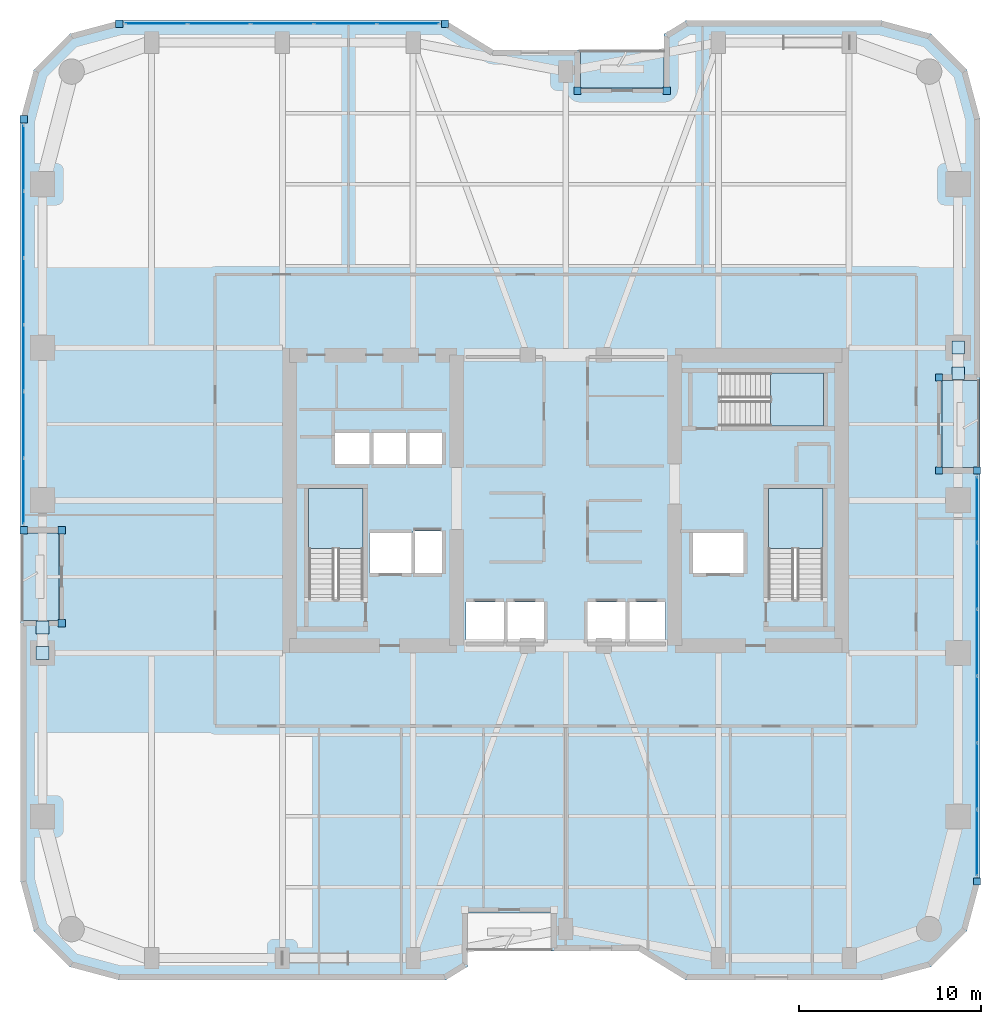
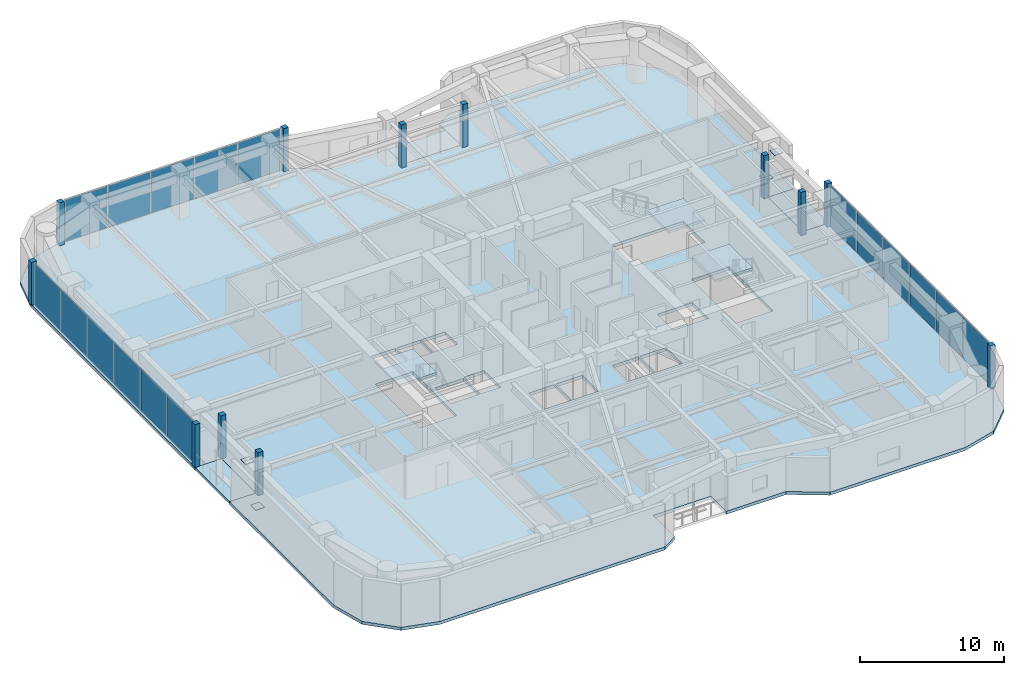
# One storey, part 16 of 24: 33 plates, 7 slabs, 6 elements without a shape of their own.
"""IFC4 building model written with IfcOpenShell, lengths in metres."""

from ifc_helpers import new_model, si_unit, direction, frame, origin, origin_2d, place, context, subcontext, project, spatial, polyline, rectangle, outline, extrude, material, layer, layer_set, type_object, element, aggregate, save


model = new_model("IFC4")

# Units and contexts
model_context = context("Model", 3, precision=1e-05, world=origin(), true_north=direction((0.0, 1.0)))
body_context = subcontext(model_context, "Body", "Model", "MODEL_VIEW")
ifc_project = project(units=[si_unit("LENGTHUNIT", "METRE"), si_unit("AREAUNIT", "SQUARE_METRE"), si_unit("VOLUMEUNIT", "CUBIC_METRE"), si_unit("PLANEANGLEUNIT", "RADIAN"), si_unit("MASSUNIT", "GRAM", prefix="KILO")], contexts=[model_context])

# Site, building, storey
site_placement = place(None, origin())
site = spatial("IfcSite", under=ifc_project, at=site_placement, CompositionType="ELEMENT")
building_placement = place(site_placement, origin())
building = spatial("IfcBuilding", under=site, at=building_placement, Name="Kiyonajd Concourse Tower", CompositionType="ELEMENT")
storey_placement = place(building_placement, frame((0.0, 0.0, 113.10009765625)))
storey = spatial("IfcBuildingStorey", under=building, at=storey_placement, Name="L29", CompositionType="ELEMENT", Elevation=113.10009765625)

# Plates
ifc_material_1 = material(Name="Steel ASTM A572 Grade 50", Category="steel")
ifc_layer_1 = layer(ifc_material_1, 0.028076171875)
ifc_layer_set_1 = layer_set([ifc_layer_1], Name="Steel ASTM A572 Grade 50")
plate_type_1 = type_object("IfcPlateType", Name="PL-CAP-450", PredefinedType="USERDEFINED", material=ifc_layer_set_1)
for number, where, z_axis, x_axis, name in (
    (1, (19.199951171875, 27.59521484375, 0.27587890625), (0.0, 0.0, 1.0), (1.0, 0.0, 0.0), "L29 Hollow Brace End Cap Plate PBW"),
    (2, (19.199951171875, 29.004638671875, 3.28564453125), (0.0, 0.0, 1.0), (1.0, 0.0, 0.0), "L29 Hollow Brace Top Cap Plate PBW"),
    (3, (69.60009765625, 44.40478515625, 0.27587890625), (0.0, 0.0, 1.0), (1.0, 0.0, 0.0), "L29 Hollow Brace End Cap Plate PBE"),
    (4, (69.60009765625, 42.995361328125, 3.28564453125), (0.0, 0.0, 1.0), (1.0, 0.0, 0.0), "L29 Hollow Brace Top Cap Plate PBE"),
):
    element("IfcPlate", number, at=place(storey_placement, frame(where, z_axis=z_axis, x_axis=x_axis)), inside=storey, type_object=plate_type_1, Name=name, ObjectType="CAP PLATE", PredefinedType="USERDEFINED", context=body_context, shape_type="SweptSolid", body=[
        extrude(rectangle(XDim=0.7099609375, YDim=0.7099609375, at=origin_2d()), origin(), (0.0, 0.0, 1.0), 0.028076171875),
    ])

# Curtain wall, plates
ifc_material_2 = material(Name="Thermally Broken Anodised Aluminium", Category="aluminium")
ifc_layer_2 = layer(ifc_material_2, 0.179931640625)
ifc_layer_set_2 = layer_set([ifc_layer_2], Name="Thermally Broken Anodised Aluminium")
curtain_wall_type = type_object("IfcCurtainWallType", Name="CW-SYS-03", PredefinedType="NOTDEFINED", material=ifc_layer_set_2)
curtain_wall_1_placement = place(storey_placement, origin())
curtain_wall_1 = element("IfcCurtainWall", 5, at=curtain_wall_1_placement, inside=storey, type_object=curtain_wall_type, Name="L29 Unitised Curtain Wall CW3", PredefinedType="NOTDEFINED")
ifc_material_3 = material(Name="Double Low-E Insulated Glass", Category="glass")
ifc_layer_3 = layer(ifc_material_3, 0.033935546875)
ifc_layer_set_3 = layer_set([ifc_layer_3], Name="Double Low-E Insulated Glass")
plate_type_2 = type_object("IfcPlateType", Name="PL-CW-VIS34", PredefinedType="CURTAIN_PANEL", material=ifc_layer_set_3)
plate_1_placement = place(storey_placement, frame((18.159912109375, 36.5029296875, 0.06494140625), z_axis=(0.0, 0.0, 1.0), x_axis=(0.0, 1.0, 0.0)))
plate_1 = element("IfcPlate", 6, at=plate_1_placement, type_object=plate_type_2, Name="CW3 panel 1.1", PredefinedType="CURTAIN_PANEL", context=body_context, shape_type="SweptSolid", body=[
    extrude(rectangle(XDim=3.57568359375, YDim=0.033935546875, at=origin_2d()), origin(), (0.0, 0.0, 1.0), 3.510009765625),
])
plate_2_placement = place(storey_placement, frame((18.159912109375, 40.15966796875, 0.06494140625), z_axis=(0.0, 0.0, 1.0), x_axis=(0.0, 1.0, 0.0)))
plate_2 = element("IfcPlate", 7, at=plate_2_placement, type_object=plate_type_2, Name="CW3 panel 2.1", PredefinedType="CURTAIN_PANEL", context=body_context, shape_type="SweptSolid", body=[
    extrude(rectangle(XDim=3.608154296875, YDim=0.033935546875, at=origin_2d()), origin(), (0.0, 0.0, 1.0), 3.510009765625),
])
plate_3_placement = place(storey_placement, frame((18.159912109375, 43.832763671875, 0.06494140625), z_axis=(0.0, 0.0, 1.0), x_axis=(0.0, 1.0, 0.0)))
plate_3 = element("IfcPlate", 8, at=plate_3_placement, type_object=plate_type_2, Name="CW3 panel 3.1", PredefinedType="CURTAIN_PANEL", context=body_context, shape_type="SweptSolid", body=[
    extrude(rectangle(XDim=3.608154296875, YDim=0.033935546875, at=origin_2d()), origin(), (0.0, 0.0, 1.0), 3.510009765625),
])
plate_4_placement = place(storey_placement, frame((18.159912109375, 47.506103515625, 0.06494140625), z_axis=(0.0, 0.0, 1.0), x_axis=(0.0, 1.0, 0.0)))
plate_4 = element("IfcPlate", 9, at=plate_4_placement, type_object=plate_type_2, Name="CW3 panel 4.1", PredefinedType="CURTAIN_PANEL", context=body_context, shape_type="SweptSolid", body=[
    extrude(rectangle(XDim=3.608154296875, YDim=0.033935546875, at=origin_2d()), origin(), (0.0, 0.0, 1.0), 3.510009765625),
])
plate_5_placement = place(storey_placement, frame((18.159912109375, 51.17919921875, 0.06494140625), z_axis=(0.0, 0.0, 1.0), x_axis=(0.0, 1.0, 0.0)))
plate_5 = element("IfcPlate", 10, at=plate_5_placement, type_object=plate_type_2, Name="CW3 panel 5.1", PredefinedType="CURTAIN_PANEL", context=body_context, shape_type="SweptSolid", body=[
    extrude(rectangle(XDim=3.608154296875, YDim=0.033935546875, at=origin_2d()), origin(), (0.0, 0.0, 1.0), 3.510009765625),
])
plate_6_placement = place(storey_placement, frame((18.159912109375, 54.836181640625, 0.06494140625), z_axis=(0.0, 0.0, 1.0), x_axis=(0.0, 1.0, 0.0)))
plate_6 = element("IfcPlate", 11, at=plate_6_placement, type_object=plate_type_2, Name="CW3 panel 6.1", PredefinedType="CURTAIN_PANEL", context=body_context, shape_type="SweptSolid", body=[
    extrude(rectangle(XDim=3.57568359375, YDim=0.033935546875, at=origin_2d()), origin(), (0.0, 0.0, 1.0), 3.510009765625),
])
aggregate(curtain_wall_1, [plate_1, plate_2, plate_3, plate_4, plate_5, plate_6])

curtain_wall_2_placement = place(storey_placement, origin())
curtain_wall_2 = element("IfcCurtainWall", 12, at=curtain_wall_2_placement, inside=storey, type_object=curtain_wall_type, Name="L29 Unitised Curtain Wall CW3", PredefinedType="NOTDEFINED")
plate_7_placement = place(storey_placement, frame((25.462646484375, 62.239990234375, 0.06494140625), z_axis=(0.0, 0.0, 1.0), x_axis=(1.0, 0.0, 0.0)))
plate_7 = element("IfcPlate", 13, at=plate_7_placement, type_object=plate_type_2, Name="CW3 panel 1.1", PredefinedType="CURTAIN_PANEL", context=body_context, shape_type="SweptSolid", body=[
    extrude(rectangle(XDim=3.373291015625, YDim=0.033935546875, at=origin_2d()), origin(), (0.0, 0.0, 1.0), 3.510009765625),
])
plate_8_placement = place(storey_placement, frame((28.917236328125, 62.239990234375, 0.06494140625), z_axis=(0.0, 0.0, 1.0), x_axis=(1.0, 0.0, 0.0)))
plate_8 = element("IfcPlate", 14, at=plate_8_placement, type_object=plate_type_2, Name="CW3 panel 2.1", PredefinedType="CURTAIN_PANEL", context=body_context, shape_type="SweptSolid", body=[
    extrude(rectangle(XDim=3.40576171875, YDim=0.033935546875, at=origin_2d()), origin(), (0.0, 0.0, 1.0), 3.510009765625),
])
plate_9_placement = place(storey_placement, frame((32.387939453125, 62.239990234375, 0.06494140625), z_axis=(0.0, 0.0, 1.0), x_axis=(1.0, 0.0, 0.0)))
plate_9 = element("IfcPlate", 15, at=plate_9_placement, type_object=plate_type_2, Name="CW3 panel 3.1", PredefinedType="CURTAIN_PANEL", context=body_context, shape_type="SweptSolid", body=[
    extrude(rectangle(XDim=3.40576171875, YDim=0.033935546875, at=origin_2d()), origin(), (0.0, 0.0, 1.0), 3.510009765625),
])
plate_10_placement = place(storey_placement, frame((35.858642578125, 62.239990234375, 0.06494140625), z_axis=(0.0, 0.0, 1.0), x_axis=(1.0, 0.0, 0.0)))
plate_10 = element("IfcPlate", 16, at=plate_10_placement, type_object=plate_type_2, Name="CW3 panel 4.1", PredefinedType="CURTAIN_PANEL", context=body_context, shape_type="SweptSolid", body=[
    extrude(rectangle(XDim=3.40576171875, YDim=0.033935546875, at=origin_2d()), origin(), (0.0, 0.0, 1.0), 3.510009765625),
])
plate_11_placement = place(storey_placement, frame((39.31298828125, 62.239990234375, 0.06494140625), z_axis=(0.0, 0.0, 1.0), x_axis=(1.0, 0.0, 0.0)))
plate_11 = element("IfcPlate", 17, at=plate_11_placement, type_object=plate_type_2, Name="CW3 panel 5.1", PredefinedType="CURTAIN_PANEL", context=body_context, shape_type="SweptSolid", body=[
    extrude(rectangle(XDim=3.373291015625, YDim=0.033935546875, at=origin_2d()), origin(), (0.0, 0.0, 1.0), 3.510009765625),
])
aggregate(curtain_wall_2, [plate_7, plate_8, plate_9, plate_10, plate_11])

curtain_wall_3_placement = place(storey_placement, origin())
curtain_wall_3 = element("IfcCurtainWall", 18, at=curtain_wall_3_placement, inside=storey, type_object=curtain_wall_type, Name="L29 Unitised Curtain Wall CW3", PredefinedType="NOTDEFINED")
plate_12_placement = place(storey_placement, frame((70.639892578125, 35.4970703125, 0.06494140625), z_axis=(0.0, 0.0, 1.0), x_axis=(0.0, -1.0, 0.0)))
plate_12 = element("IfcPlate", 19, at=plate_12_placement, type_object=plate_type_2, Name="CW3 panel 1.1", PredefinedType="CURTAIN_PANEL", context=body_context, shape_type="SweptSolid", body=[
    extrude(rectangle(XDim=3.57568359375, YDim=0.033935546875, at=origin_2d()), origin(), (0.0, 0.0, 1.0), 3.510009765625),
])
plate_13_placement = place(storey_placement, frame((70.639892578125, 31.84033203125, 0.06494140625), z_axis=(0.0, 0.0, 1.0), x_axis=(0.0, -1.0, 0.0)))
plate_13 = element("IfcPlate", 20, at=plate_13_placement, type_object=plate_type_2, Name="CW3 panel 2.1", PredefinedType="CURTAIN_PANEL", context=body_context, shape_type="SweptSolid", body=[
    extrude(rectangle(XDim=3.608154296875, YDim=0.033935546875, at=origin_2d()), origin(), (0.0, 0.0, 1.0), 3.510009765625),
])
plate_14_placement = place(storey_placement, frame((70.639892578125, 28.167236328125, 0.06494140625), z_axis=(0.0, 0.0, 1.0), x_axis=(0.0, -1.0, 0.0)))
plate_14 = element("IfcPlate", 21, at=plate_14_placement, type_object=plate_type_2, Name="CW3 panel 3.1", PredefinedType="CURTAIN_PANEL", context=body_context, shape_type="SweptSolid", body=[
    extrude(rectangle(XDim=3.608154296875, YDim=0.033935546875, at=origin_2d()), origin(), (0.0, 0.0, 1.0), 3.510009765625),
])
plate_15_placement = place(storey_placement, frame((70.639892578125, 24.493896484375, 0.06494140625), z_axis=(0.0, 0.0, 1.0), x_axis=(0.0, -1.0, 0.0)))
plate_15 = element("IfcPlate", 22, at=plate_15_placement, type_object=plate_type_2, Name="CW3 panel 4.1", PredefinedType="CURTAIN_PANEL", context=body_context, shape_type="SweptSolid", body=[
    extrude(rectangle(XDim=3.608154296875, YDim=0.033935546875, at=origin_2d()), origin(), (0.0, 0.0, 1.0), 3.510009765625),
])
plate_16_placement = place(storey_placement, frame((70.639892578125, 20.82080078125, 0.06494140625), z_axis=(0.0, 0.0, 1.0), x_axis=(0.0, -1.0, 0.0)))
plate_16 = element("IfcPlate", 23, at=plate_16_placement, type_object=plate_type_2, Name="CW3 panel 5.1", PredefinedType="CURTAIN_PANEL", context=body_context, shape_type="SweptSolid", body=[
    extrude(rectangle(XDim=3.608154296875, YDim=0.033935546875, at=origin_2d()), origin(), (0.0, 0.0, 1.0), 3.510009765625),
])
plate_17_placement = place(storey_placement, frame((70.639892578125, 17.163818359375, 0.06494140625), z_axis=(0.0, 0.0, 1.0), x_axis=(0.0, -1.0, 0.0)))
plate_17 = element("IfcPlate", 24, at=plate_17_placement, type_object=plate_type_2, Name="CW3 panel 6.1", PredefinedType="CURTAIN_PANEL", context=body_context, shape_type="SweptSolid", body=[
    extrude(rectangle(XDim=3.57568359375, YDim=0.033935546875, at=origin_2d()), origin(), (0.0, 0.0, 1.0), 3.510009765625),
])
aggregate(curtain_wall_3, [plate_12, plate_13, plate_14, plate_15, plate_16, plate_17])

# Plates
ifc_layer_4 = layer(ifc_material_2, 0.39990234375)
ifc_layer_set_4 = layer_set([ifc_layer_4], Name="Thermally Broken Anodised Aluminium")
plate_type_3 = type_object("IfcPlateType", Name="PL-JMB-400", PredefinedType="USERDEFINED", material=ifc_layer_set_4)
for number, where, z_axis, x_axis, name in (
    (25, (20.260009765625, 29.239990234375, 0.0), (0.0, 0.0, 1.0), (1.0, 0.0, 0.0), "L29 Facade Jamb Closure Plate 01"),
    (26, (20.260009765625, 34.360107421875, 0.0), (0.0, 0.0, 1.0), (1.0, 0.0, 0.0), "L29 Facade Jamb Closure Plate 02"),
    (27, (18.159912109375, 34.360107421875, 0.0), (0.0, 0.0, 1.0), (1.0, 0.0, 0.0), "L29 Facade Jamb Closure Plate 03"),
    (28, (18.159912109375, 56.97900390625, 0.0), (0.0, 0.0, 1.0), (1.0, 0.0, 0.0), "L29 Facade Jamb Closure Plate 04"),
    (29, (23.421142578125, 62.239990234375, 0.0), (0.0, 0.0, 1.0), (1.0, 0.0, 0.0), "L29 Facade Jamb Closure Plate 05"),
    (30, (41.354736328125, 62.239990234375, 0.0), (0.0, 0.0, 1.0), (1.0, 0.0, 0.0), "L29 Facade Jamb Closure Plate 06"),
    (31, (48.639892578125, 58.5400390625, 0.0), (0.0, 0.0, 1.0), (1.0, 0.0, 0.0), "L29 Facade Jamb Closure Plate 07"),
    (32, (53.56005859375, 58.5400390625, 0.0), (0.0, 0.0, 1.0), (1.0, 0.0, 0.0), "L29 Facade Jamb Closure Plate 08"),
    (33, (68.5400390625, 42.760009765625, 0.0), (0.0, 0.0, 1.0), (1.0, 0.0, 0.0), "L29 Facade Jamb Closure Plate 09"),
    (34, (68.5400390625, 37.639892578125, 0.0), (0.0, 0.0, 1.0), (1.0, 0.0, 0.0), "L29 Facade Jamb Closure Plate 10"),
    (35, (70.639892578125, 37.639892578125, 0.0), (0.0, 0.0, 1.0), (1.0, 0.0, 0.0), "L29 Facade Jamb Closure Plate 11"),
    (36, (70.639892578125, 15.02099609375, 0.0), (0.0, 0.0, 1.0), (1.0, 0.0, 0.0), "L29 Facade Jamb Closure Plate 12"),
):
    element("IfcPlate", number, at=place(storey_placement, frame(where, z_axis=z_axis, x_axis=x_axis)), inside=storey, type_object=plate_type_3, Name=name, ObjectType="JAMB PLATE", PredefinedType="USERDEFINED", context=body_context, shape_type="SweptSolid", body=[
        extrude(rectangle(XDim=0.39990234375, YDim=0.39990234375, at=origin_2d()), origin(), (0.0, 0.0, 1.0), 3.639892578125),
    ])

# Stair, slab
ifc_material_4 = material(Name="Concrete C40/50", Category="concrete")
stair_type = type_object("IfcStairType", Name="ST-DLG-22R", PredefinedType="HALF_TURN_STAIR", material=ifc_material_4)
stair_1_placement = place(storey_placement, origin())
stair_1 = element("IfcStair", 37, at=stair_1_placement, inside=storey, type_object=stair_type, Name="L29 Protected Exit Stair ST1", PredefinedType="HALF_TURN_STAIR")
ifc_layer_5 = layer(ifc_material_4, 0.199951171875)
ifc_layer_set_5 = layer_set([ifc_layer_5], Name="Concrete C40/50")
slab_type_1 = type_object("IfcSlabType", Name="SL-LND-200", PredefinedType="LANDING", material=ifc_layer_set_5)
slab_1_placement = place(storey_placement, frame((0.0, 0.0, 1.75)))
slab_1 = element("IfcSlab", 38, at=slab_1_placement, type_object=slab_type_1, Name="ST1 landing 1", PredefinedType="LANDING", context=body_context, shape_type="SweptSolid", body=[
    extrude(outline(polyline([(36.85009765625, 33.35009765625), (36.85009765625, 36.64990234375), (33.85009765625, 36.64990234375), (33.85009765625, 33.35009765625), (36.85009765625, 33.35009765625)])), origin(), (0.0, 0.0, 1.0), 0.199951171875),
])
aggregate(stair_1, [slab_1])

stair_2_placement = place(storey_placement, origin())
stair_2 = element("IfcStair", 39, at=stair_2_placement, inside=storey, type_object=stair_type, Name="L29 Protected Exit Stair ST2", PredefinedType="HALF_TURN_STAIR")
slab_2_placement = place(storey_placement, frame((0.0, 0.0, 1.75)))
slab_2 = element("IfcSlab", 40, at=slab_2_placement, type_object=slab_type_1, Name="ST2 landing 1", PredefinedType="LANDING", context=body_context, shape_type="SweptSolid", body=[
    extrude(outline(polyline([(62.14990234375, 33.35009765625), (62.14990234375, 36.64990234375), (59.14990234375, 36.64990234375), (59.14990234375, 33.35009765625), (62.14990234375, 33.35009765625)])), origin(), (0.0, 0.0, 1.0), 0.199951171875),
])
aggregate(stair_2, [slab_2])

stair_3_placement = place(storey_placement, origin())
stair_3 = element("IfcStair", 41, at=stair_3_placement, inside=storey, type_object=stair_type, Name="L29 Protected Exit Stair ST3", PredefinedType="HALF_TURN_STAIR")
slab_3_placement = place(storey_placement, frame((0.0, 0.0, 1.75)))
slab_3 = element("IfcSlab", 42, at=slab_3_placement, type_object=slab_type_1, Name="ST3 landing 1", PredefinedType="LANDING", context=body_context, shape_type="SweptSolid", body=[
    extrude(outline(polyline([(59.280029296875, 40.080078125), (62.179931640625, 40.080078125), (62.179931640625, 43.02001953125), (59.280029296875, 43.02001953125), (59.280029296875, 40.080078125)])), origin(), (0.0, 0.0, 1.0), 0.199951171875),
])
aggregate(stair_3, [slab_3])

# Slabs
ifc_material_5 = material(Name="Precast concrete C50/60", Category="concrete")
ifc_layer_6 = layer(ifc_material_5, 0.199951171875)
ifc_layer_set_6 = layer_set([ifc_layer_6], Name="Precast concrete C50/60")
slab_type_2 = type_object("IfcSlabType", Name="SL-LOG-200", PredefinedType="FLOOR", material=ifc_layer_set_6)
slab_4_placement = place(storey_placement, frame((0.0, 0.0, -0.2001953125)))
element("IfcSlab", 43, at=slab_4_placement, inside=storey, type_object=slab_type_2, Name="L29 Recessed Engawa Loggia Terrace Slab LOG-N", PredefinedType="FLOOR", context=body_context, shape_type="SweptSolid", body=[
    extrude(outline(polyline([(48.800048828125, 58.699951171875), (53.39990234375, 58.699951171875), (53.39990234375, 60.800048828125), (48.800048828125, 60.800048828125), (48.800048828125, 58.699951171875)])), origin(), (0.0, 0.0, 1.0), 0.2001953125),
])
slab_5_placement = place(storey_placement, frame((0.0, 0.0, -0.2001953125)))
element("IfcSlab", 44, at=slab_5_placement, inside=storey, type_object=slab_type_2, Name="L29 Recessed Engawa Loggia Terrace Slab LOG-W", PredefinedType="FLOOR", context=body_context, shape_type="SweptSolid", body=[
    extrude(outline(polyline([(18.0, 29.39990234375), (20.10009765625, 29.39990234375), (20.10009765625, 34.199951171875), (18.0, 34.199951171875), (18.0, 29.39990234375)])), origin(), (0.0, 0.0, 1.0), 0.2001953125),
])
slab_6_placement = place(storey_placement, frame((0.0, 0.0, -0.2001953125)))
element("IfcSlab", 45, at=slab_6_placement, inside=storey, type_object=slab_type_2, Name="L29 Recessed Engawa Loggia Terrace Slab LOG-E", PredefinedType="FLOOR", context=body_context, shape_type="SweptSolid", body=[
    extrude(outline(polyline([(68.699951171875, 37.800048828125), (70.800048828125, 37.800048828125), (70.800048828125, 42.60009765625), (68.699951171875, 42.60009765625), (68.699951171875, 37.800048828125)])), origin(), (0.0, 0.0, 1.0), 0.2001953125),
])
ifc_layer_7 = layer(ifc_material_4, 0.260009765625)
ifc_layer_set_7 = layer_set([ifc_layer_7], Name="Concrete C40/50")
slab_type_3 = type_object("IfcSlabType", Name="SL-TWR-260", PredefinedType="FLOOR", material=ifc_layer_set_7)
slab_7_placement = place(storey_placement, frame((0.0, 0.0, -0.260009765625)))
element("IfcSlab", 46, at=slab_7_placement, inside=storey, type_object=slab_type_3, Name="L29 Tower Conditioned Floor Slab", PredefinedType="FLOOR", context=body_context, shape_type="SweptSolid", body=[
    extrude(outline(polyline([(18.722900390625, 12.300048828125), (18.0, 15.0), (18.0, 29.39990234375), (20.10009765625, 29.39990234375), (20.10009765625, 34.199951171875), (18.0, 34.199951171875), (18.0, 57.0), (18.722900390625, 59.699951171875), (20.699951171875, 61.677001953125), (23.39990234375, 62.39990234375), (41.39990234375, 62.39990234375), (44.0, 60.800048828125), (48.800048828125, 60.800048828125), (48.800048828125, 58.699951171875), (53.39990234375, 58.699951171875), (53.39990234375, 61.662109375), (54.60009765625, 62.39990234375), (65.39990234375, 62.39990234375), (68.10009765625, 61.677001953125), (70.076904296875, 59.699951171875), (70.800048828125, 57.0), (70.800048828125, 42.60009765625), (68.699951171875, 42.60009765625), (68.699951171875, 37.800048828125), (70.800048828125, 37.800048828125), (70.800048828125, 15.0), (70.076904296875, 12.300048828125), (68.10009765625, 10.322998046875), (65.39990234375, 9.60009765625), (54.60009765625, 9.60009765625), (52.0, 11.199951171875), (47.199951171875, 11.199951171875), (47.199951171875, 13.300048828125), (42.60009765625, 13.300048828125), (42.60009765625, 10.337890625), (41.39990234375, 9.60009765625), (23.39990234375, 9.60009765625), (20.699951171875, 10.322998046875), (18.722900390625, 12.300048828125)]), holes=[polyline([(44.60009765625, 28.199951171875), (42.5, 28.199951171875), (42.5, 30.39990234375), (44.60009765625, 30.39990234375), (44.60009765625, 28.199951171875)]), polyline([(37.199951171875, 32.0), (37.199951171875, 34.199951171875), (39.5, 34.199951171875), (39.5, 32.0), (37.199951171875, 32.0)]), polyline([(39.60009765625, 32.0), (39.60009765625, 34.300048828125), (41.199951171875, 34.300048828125), (41.199951171875, 32.0), (39.60009765625, 32.0)]), polyline([(36.85009765625, 30.550048828125), (33.85009765625, 30.550048828125), (33.85009765625, 36.64990234375), (36.85009765625, 36.64990234375), (36.85009765625, 30.550048828125)]), polyline([(35.300048828125, 38.0), (35.300048828125, 39.699951171875), (37.199951171875, 39.699951171875), (37.199951171875, 38.0), (35.300048828125, 38.0)]), polyline([(37.300048828125, 38.0), (37.300048828125, 39.699951171875), (39.199951171875, 39.699951171875), (39.199951171875, 38.0), (37.300048828125, 38.0)]), polyline([(41.199951171875, 38.0), (39.300048828125, 38.0), (39.300048828125, 39.699951171875), (41.199951171875, 39.699951171875), (41.199951171875, 38.0)]), polyline([(44.699951171875, 28.199951171875), (44.699951171875, 30.39990234375), (46.800048828125, 30.39990234375), (46.800048828125, 28.199951171875), (44.699951171875, 28.199951171875)]), polyline([(49.199951171875, 28.199951171875), (49.199951171875, 30.39990234375), (51.300048828125, 30.39990234375), (51.300048828125, 28.199951171875), (49.199951171875, 28.199951171875)]), polyline([(51.39990234375, 28.199951171875), (51.39990234375, 30.39990234375), (53.5, 30.39990234375), (53.5, 28.199951171875), (51.39990234375, 28.199951171875)]), polyline([(55.0, 32.0), (55.0, 34.199951171875), (57.800048828125, 34.199951171875), (57.800048828125, 32.0), (55.0, 32.0)]), polyline([(59.14990234375, 30.550048828125), (59.14990234375, 36.64990234375), (62.14990234375, 36.64990234375), (62.14990234375, 30.550048828125), (59.14990234375, 30.550048828125)]), polyline([(56.47998046875, 43.02001953125), (62.179931640625, 43.02001953125), (62.179931640625, 40.080078125), (56.47998046875, 40.080078125), (56.47998046875, 43.02001953125)])]), origin(), (0.0, 0.0, 1.0), 0.260009765625),
])

save(model, "model.ifc")
